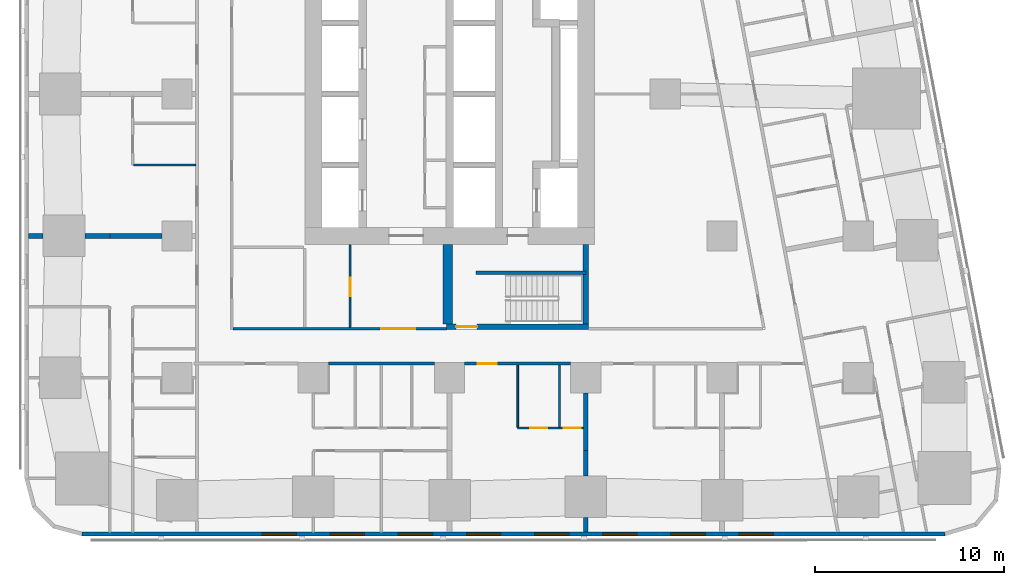
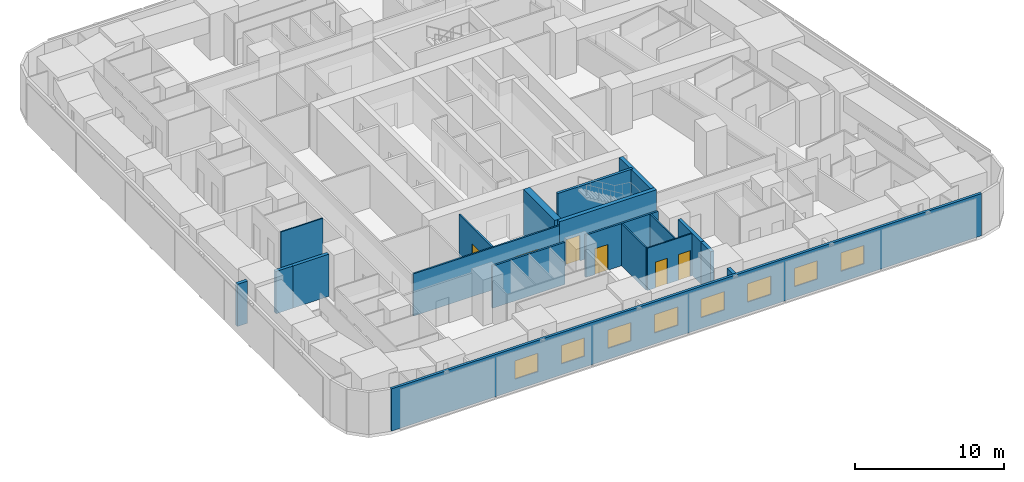
# One storey, part 3 of 14: 19 walls, 8 windows, 6 doors, 14 openings.
"""IFC4 building model written with IfcOpenShell, lengths in metres."""

from ifc_helpers import new_model, si_unit, direction, frame, frame_2d, origin, place, context, subcontext, project, spatial, rectangle, extrude, material, layer, layer_set, type_object, element, fill, save


model = new_model("IFC4")

# Units and contexts
model_context = context("Model", 3, precision=1e-05, world=origin(), true_north=direction((0.0, 1.0)))
body_context = subcontext(model_context, "Body", "Model", "MODEL_VIEW")
ifc_project = project(units=[si_unit("LENGTHUNIT", "METRE"), si_unit("AREAUNIT", "SQUARE_METRE"), si_unit("VOLUMEUNIT", "CUBIC_METRE"), si_unit("PLANEANGLEUNIT", "RADIAN"), si_unit("MASSUNIT", "GRAM", prefix="KILO")], contexts=[model_context])

# Site, building, storey
site_placement = place(None, origin())
site = spatial("IfcSite", under=ifc_project, at=site_placement, CompositionType="ELEMENT")
building_placement = place(site_placement, origin())
building = spatial("IfcBuilding", under=site, at=building_placement, Name="Sheger Commons Tower", CompositionType="ELEMENT")
storey_placement = place(building_placement, frame((0.0, 0.0, 126.64990234375)))
storey = spatial("IfcBuildingStorey", under=building, at=storey_placement, Name="L32", CompositionType="ELEMENT", Elevation=126.64990234375)

# Wall, opening, door
ifc_material_1 = material(Name="Hollow concrete block masonry, skimmed both sides", Category="masonry")
ifc_layer_1 = layer(ifc_material_1, 0.14990234375)
ifc_layer_set_1 = layer_set([ifc_layer_1], Name="CORRIDOR WALL 150")
wall_type_1 = type_object("IfcWallType", Name="CORRIDOR WALL 150", PredefinedType="SOLIDWALL", material=ifc_layer_set_1)
wall_1_placement = place(storey_placement, frame((27.9990234375, 8.25, 0.0), z_axis=(0.0, 0.0, 1.0), x_axis=(-1.0, 0.0, 0.0)))
wall_1 = element("IfcWall", 1, at=wall_1_placement, inside=storey, type_object=wall_type_1, Name="Corridor wall L32", PredefinedType="SOLIDWALL", context=body_context, shape_type="SweptSolid", body=[
    extrude(rectangle(XDim=5.59814453125, YDim=0.14990234375, at=frame_2d((2.799072265625, 0.0))), origin(), (0.0, 0.0, 1.0), 3.4501953125),
])
opening_1_placement = place(wall_1_placement, frame((3.89892578125, 0.0, 0.0)))
opening_1 = element("IfcOpeningElement", 2, at=opening_1_placement, cuts=wall_1, Name="Opening D1", PredefinedType="OPENING", context=body_context, shape_type="SweptSolid", body=[
    extrude(rectangle(XDim=1.0, YDim=2.10009765625, at=frame_2d((0.5, 1.050048828125))), frame((0.0, 0.0849609375, 0.0), z_axis=(0.0, -1.0, 0.0), x_axis=(1.0, 0.0, 0.0)), (0.0, 0.0, 1.0), 0.169921875),
])
ifc_material_2 = material(Name="Steel door set, fire rated", Category="steel")
door_type_1 = type_object("IfcDoorType", Name="FLAT ENTRANCE DOOR 1000x2100", OperationType="NOTDEFINED", PredefinedType="DOOR", material=ifc_material_2)
door_1_placement = place(opening_1_placement, origin())
door_1 = element("IfcDoor", 3, at=door_1_placement, inside=storey, type_object=door_type_1, Name="Flat entrance door", OperationType="SINGLE_SWING_RIGHT", OverallHeight=2.10009765625, OverallWidth=1.0, PredefinedType="DOOR", context=body_context, shape_type="SweptSolid", body=[
    extrude(rectangle(XDim=1.0, YDim=2.10009765625, at=frame_2d((0.5, 1.050048828125))), frame((0.0, 0.02490234375, 0.0), z_axis=(0.0, -1.0, 0.0), x_axis=(1.0, 0.0, 0.0)), (0.0, 0.0, 1.0), 0.050048828125),
])
fill(opening_1, door_1)

# Walls
wall_2_placement = place(storey_placement, frame((20.799072265625, 8.25, 0.0), z_axis=(0.0, 0.0, 1.0), x_axis=(-1.0, 0.0, 0.0)))
element("IfcWall", 4, at=wall_2_placement, inside=storey, type_object=wall_type_1, Name="Corridor wall L32", PredefinedType="SOLIDWALL", context=body_context, shape_type="SweptSolid", body=[
    extrude(rectangle(XDim=5.59814453125, YDim=0.14990234375, at=frame_2d((2.799072265625, 0.0))), origin(), (0.0, 0.0, 1.0), 3.4501953125),
])
ifc_material_3 = material(Name="Dense concrete block masonry, plastered both sides (separating wall between flats)", Category="masonry")
ifc_layer_2 = layer(ifc_material_3, 0.25)
ifc_layer_set_2 = layer_set([ifc_layer_2], Name="DEMISING WALL 250")
wall_type_2 = type_object("IfcWallType", Name="DEMISING WALL 250", PredefinedType="SOLIDWALL", material=ifc_layer_set_2)
wall_3_placement = place(storey_placement, frame((-0.64990234375, 15.0, 0.0), z_axis=(0.0, 0.0, 1.0), x_axis=(1.0, 0.0, 0.0)))
element("IfcWall", 5, at=wall_3_placement, inside=storey, type_object=wall_type_2, Name="Demising wall L32", PredefinedType="SOLIDWALL", context=body_context, shape_type="SweptSolid", body=[
    extrude(rectangle(XDim=0.77392578125, YDim=0.25, at=frame_2d((0.386962890625, 0.0))), origin(), (0.0, 0.0, 1.0), 3.4501953125),
])
wall_4_placement = place(storey_placement, frame((2.325927734375, 15.0, 0.0), z_axis=(0.0, 0.0, 1.0), x_axis=(1.0, 0.0, 0.0)))
element("IfcWall", 6, at=wall_4_placement, inside=storey, type_object=wall_type_2, Name="Demising wall L32", PredefinedType="SOLIDWALL", context=body_context, shape_type="SweptSolid", body=[
    extrude(rectangle(XDim=1.323974609375, YDim=0.25, at=frame_2d((0.662109375, 0.0))), origin(), (0.0, 0.0, 1.0), 3.4501953125),
])
wall_5_placement = place(storey_placement, frame((3.64990234375, 15.0, 0.0), z_axis=(0.0, 0.0, 1.0), x_axis=(1.0, 0.0, 0.0)))
element("IfcWall", 7, at=wall_5_placement, inside=storey, type_object=wall_type_2, Name="Demising wall L32", PredefinedType="SOLIDWALL", context=body_context, shape_type="SweptSolid", body=[
    extrude(rectangle(XDim=2.7490234375, YDim=0.25, at=frame_2d((1.37451171875, 0.0))), origin(), (0.0, 0.0, 1.0), 3.4501953125),
])
wall_6_placement = place(storey_placement, frame((28.800048828125, -0.64990234375, 0.0), z_axis=(0.0, 0.0, 1.0), x_axis=(0.0, 1.0, 0.0)))
element("IfcWall", 8, at=wall_6_placement, inside=storey, type_object=wall_type_2, Name="Demising wall L32", PredefinedType="SOLIDWALL", context=body_context, shape_type="SweptSolid", body=[
    extrude(rectangle(XDim=0.77392578125, YDim=0.25, at=frame_2d((0.386962890625, 0.0))), origin(), (0.0, 0.0, 1.0), 3.4501953125),
])
wall_7_placement = place(storey_placement, frame((28.800048828125, 2.325927734375, 0.0), z_axis=(0.0, 0.0, 1.0), x_axis=(0.0, 1.0, 0.0)))
element("IfcWall", 9, at=wall_7_placement, inside=storey, type_object=wall_type_2, Name="Demising wall L32", PredefinedType="SOLIDWALL", context=body_context, shape_type="SweptSolid", body=[
    extrude(rectangle(XDim=1.323974609375, YDim=0.25, at=frame_2d((0.662109375, 0.0))), origin(), (0.0, 0.0, 1.0), 3.4501953125),
])
wall_8_placement = place(storey_placement, frame((28.800048828125, 3.64990234375, 0.0), z_axis=(0.0, 0.0, 1.0), x_axis=(0.0, 1.0, 0.0)))
element("IfcWall", 10, at=wall_8_placement, inside=storey, type_object=wall_type_2, Name="Demising wall L32", PredefinedType="SOLIDWALL", context=body_context, shape_type="SweptSolid", body=[
    extrude(rectangle(XDim=3.049072265625, YDim=0.25, at=frame_2d((1.5244140625, 0.0))), origin(), (0.0, 0.0, 1.0), 3.4501953125),
])

# Wall, openings, windows
ifc_material_4 = material(Name="Rendered concrete block masonry, dark grey", Category="masonry")
ifc_layer_3 = layer(ifc_material_4, 0.199951171875)
ifc_layer_set_3 = layer_set([ifc_layer_3], Name="FACADE WALL 200")
wall_type_3 = type_object("IfcWallType", Name="FACADE WALL 200", PredefinedType="SOLIDWALL", material=ifc_layer_set_3)
wall_9_placement = place(storey_placement, frame((2.1630859375, -0.75, 0.0), z_axis=(0.0, 0.0, 1.0), x_axis=(1.0, 0.0, 0.0)))
wall_9 = element("IfcWall", 11, at=wall_9_placement, inside=storey, type_object=wall_type_3, Name="Facade wall L32", PredefinedType="SOLIDWALL", context=body_context, shape_type="SweptSolid", body=[
    extrude(rectangle(XDim=45.6279296875, YDim=0.199951171875, at=frame_2d((22.81396484375, 0.0))), origin(), (0.0, 0.0, 1.0), 3.4501953125),
])
opening_2_placement = place(wall_9_placement, frame((9.537109375, 0.0, 0.89990234375)))
opening_2 = element("IfcOpeningElement", 12, at=opening_2_placement, cuts=wall_9, Name="Opening W2", PredefinedType="OPENING", context=body_context, shape_type="SweptSolid", body=[
    extrude(rectangle(XDim=1.800048828125, YDim=1.5, at=frame_2d((0.89990234375, 0.75))), frame((0.0, 0.10986328125, 0.0), z_axis=(0.0, -1.0, 0.0), x_axis=(1.0, 0.0, 0.0)), (0.0, 0.0, 1.0), 0.219970703125),
])
opening_3_placement = place(wall_9_placement, frame((13.136962890625, 0.0, 0.89990234375)))
opening_3 = element("IfcOpeningElement", 13, at=opening_3_placement, cuts=wall_9, Name="Opening W2", PredefinedType="OPENING", context=body_context, shape_type="SweptSolid", body=[
    extrude(rectangle(XDim=1.800048828125, YDim=1.5, at=frame_2d((0.89990234375, 0.75))), frame((0.0, 0.10986328125, 0.0), z_axis=(0.0, -1.0, 0.0), x_axis=(1.0, 0.0, 0.0)), (0.0, 0.0, 1.0), 0.219970703125),
])
opening_4_placement = place(wall_9_placement, frame((16.737060546875, 0.0, 0.89990234375)))
opening_4 = element("IfcOpeningElement", 14, at=opening_4_placement, cuts=wall_9, Name="Opening W2", PredefinedType="OPENING", context=body_context, shape_type="SweptSolid", body=[
    extrude(rectangle(XDim=1.800048828125, YDim=1.5, at=frame_2d((0.89990234375, 0.75))), frame((0.0, 0.10986328125, 0.0), z_axis=(0.0, -1.0, 0.0), x_axis=(1.0, 0.0, 0.0)), (0.0, 0.0, 1.0), 0.219970703125),
])
opening_5_placement = place(wall_9_placement, frame((20.3369140625, 0.0, 0.89990234375)))
opening_5 = element("IfcOpeningElement", 15, at=opening_5_placement, cuts=wall_9, Name="Opening W2", PredefinedType="OPENING", context=body_context, shape_type="SweptSolid", body=[
    extrude(rectangle(XDim=1.800048828125, YDim=1.5, at=frame_2d((0.89990234375, 0.75))), frame((0.0, 0.10986328125, 0.0), z_axis=(0.0, -1.0, 0.0), x_axis=(1.0, 0.0, 0.0)), (0.0, 0.0, 1.0), 0.219970703125),
])
opening_6_placement = place(wall_9_placement, frame((23.93701171875, 0.0, 0.89990234375)))
opening_6 = element("IfcOpeningElement", 16, at=opening_6_placement, cuts=wall_9, Name="Opening W2", PredefinedType="OPENING", context=body_context, shape_type="SweptSolid", body=[
    extrude(rectangle(XDim=1.800048828125, YDim=1.5, at=frame_2d((0.89990234375, 0.75))), frame((0.0, 0.10986328125, 0.0), z_axis=(0.0, -1.0, 0.0), x_axis=(1.0, 0.0, 0.0)), (0.0, 0.0, 1.0), 0.219970703125),
])
opening_7_placement = place(wall_9_placement, frame((27.537109375, 0.0, 0.89990234375)))
opening_7 = element("IfcOpeningElement", 17, at=opening_7_placement, cuts=wall_9, Name="Opening W2", PredefinedType="OPENING", context=body_context, shape_type="SweptSolid", body=[
    extrude(rectangle(XDim=1.800048828125, YDim=1.5, at=frame_2d((0.89990234375, 0.75))), frame((0.0, 0.10986328125, 0.0), z_axis=(0.0, -1.0, 0.0), x_axis=(1.0, 0.0, 0.0)), (0.0, 0.0, 1.0), 0.219970703125),
])
opening_8_placement = place(wall_9_placement, frame((31.136962890625, 0.0, 0.89990234375)))
opening_8 = element("IfcOpeningElement", 18, at=opening_8_placement, cuts=wall_9, Name="Opening W2", PredefinedType="OPENING", context=body_context, shape_type="SweptSolid", body=[
    extrude(rectangle(XDim=1.800048828125, YDim=1.5, at=frame_2d((0.89990234375, 0.75))), frame((0.0, 0.10986328125, 0.0), z_axis=(0.0, -1.0, 0.0), x_axis=(1.0, 0.0, 0.0)), (0.0, 0.0, 1.0), 0.219970703125),
])
opening_9_placement = place(wall_9_placement, frame((34.737060546875, 0.0, 0.89990234375)))
opening_9 = element("IfcOpeningElement", 19, at=opening_9_placement, cuts=wall_9, Name="Opening W2", PredefinedType="OPENING", context=body_context, shape_type="SweptSolid", body=[
    extrude(rectangle(XDim=1.800048828125, YDim=1.5, at=frame_2d((0.89990234375, 0.75))), frame((0.0, 0.10986328125, 0.0), z_axis=(0.0, -1.0, 0.0), x_axis=(1.0, 0.0, 0.0)), (0.0, 0.0, 1.0), 0.219970703125),
])
ifc_material_5 = material(Name="Black aluminium frame, dark tinted double glazing", Category="aluminium")
window_type = type_object("IfcWindowType", Name="WINDOW W2 1800x1500", PartitioningType="SINGLE_PANEL", PredefinedType="WINDOW", material=ifc_material_5)
window_1_placement = place(opening_2_placement, origin())
window_1 = element("IfcWindow", 20, at=window_1_placement, inside=storey, type_object=window_type, Name="Window W2 1800X1500", OverallHeight=1.5, OverallWidth=1.800048828125, PartitioningType="SINGLE_PANEL", PredefinedType="WINDOW", context=body_context, shape_type="SweptSolid", body=[
    extrude(rectangle(XDim=1.800048828125, YDim=1.5, at=frame_2d((0.89990234375, 0.75))), frame((0.0, 0.030029296875, 0.0), z_axis=(0.0, -1.0, 0.0), x_axis=(1.0, 0.0, 0.0)), (0.0, 0.0, 1.0), 0.06005859375),
])
fill(opening_2, window_1)
window_2_placement = place(opening_3_placement, origin())
window_2 = element("IfcWindow", 21, at=window_2_placement, inside=storey, type_object=window_type, Name="Window W2 1800X1500", OverallHeight=1.5, OverallWidth=1.800048828125, PartitioningType="SINGLE_PANEL", PredefinedType="WINDOW", context=body_context, shape_type="SweptSolid", body=[
    extrude(rectangle(XDim=1.800048828125, YDim=1.5, at=frame_2d((0.89990234375, 0.75))), frame((0.0, 0.030029296875, 0.0), z_axis=(0.0, -1.0, 0.0), x_axis=(1.0, 0.0, 0.0)), (0.0, 0.0, 1.0), 0.06005859375),
])
fill(opening_3, window_2)
window_3_placement = place(opening_4_placement, origin())
window_3 = element("IfcWindow", 22, at=window_3_placement, inside=storey, type_object=window_type, Name="Window W2 1800X1500", OverallHeight=1.5, OverallWidth=1.800048828125, PartitioningType="SINGLE_PANEL", PredefinedType="WINDOW", context=body_context, shape_type="SweptSolid", body=[
    extrude(rectangle(XDim=1.800048828125, YDim=1.5, at=frame_2d((0.89990234375, 0.75))), frame((0.0, 0.030029296875, 0.0), z_axis=(0.0, -1.0, 0.0), x_axis=(1.0, 0.0, 0.0)), (0.0, 0.0, 1.0), 0.06005859375),
])
fill(opening_4, window_3)
window_4_placement = place(opening_5_placement, origin())
window_4 = element("IfcWindow", 23, at=window_4_placement, inside=storey, type_object=window_type, Name="Window W2 1800X1500", OverallHeight=1.5, OverallWidth=1.800048828125, PartitioningType="SINGLE_PANEL", PredefinedType="WINDOW", context=body_context, shape_type="SweptSolid", body=[
    extrude(rectangle(XDim=1.800048828125, YDim=1.5, at=frame_2d((0.89990234375, 0.75))), frame((0.0, 0.030029296875, 0.0), z_axis=(0.0, -1.0, 0.0), x_axis=(1.0, 0.0, 0.0)), (0.0, 0.0, 1.0), 0.06005859375),
])
fill(opening_5, window_4)
window_5_placement = place(opening_6_placement, origin())
window_5 = element("IfcWindow", 24, at=window_5_placement, inside=storey, type_object=window_type, Name="Window W2 1800X1500", OverallHeight=1.5, OverallWidth=1.800048828125, PartitioningType="SINGLE_PANEL", PredefinedType="WINDOW", context=body_context, shape_type="SweptSolid", body=[
    extrude(rectangle(XDim=1.800048828125, YDim=1.5, at=frame_2d((0.89990234375, 0.75))), frame((0.0, 0.030029296875, 0.0), z_axis=(0.0, -1.0, 0.0), x_axis=(1.0, 0.0, 0.0)), (0.0, 0.0, 1.0), 0.06005859375),
])
fill(opening_6, window_5)
window_6_placement = place(opening_7_placement, origin())
window_6 = element("IfcWindow", 25, at=window_6_placement, inside=storey, type_object=window_type, Name="Window W2 1800X1500", OverallHeight=1.5, OverallWidth=1.800048828125, PartitioningType="SINGLE_PANEL", PredefinedType="WINDOW", context=body_context, shape_type="SweptSolid", body=[
    extrude(rectangle(XDim=1.800048828125, YDim=1.5, at=frame_2d((0.89990234375, 0.75))), frame((0.0, 0.030029296875, 0.0), z_axis=(0.0, -1.0, 0.0), x_axis=(1.0, 0.0, 0.0)), (0.0, 0.0, 1.0), 0.06005859375),
])
fill(opening_7, window_6)
window_7_placement = place(opening_8_placement, origin())
window_7 = element("IfcWindow", 26, at=window_7_placement, inside=storey, type_object=window_type, Name="Window W2 1800X1500", OverallHeight=1.5, OverallWidth=1.800048828125, PartitioningType="SINGLE_PANEL", PredefinedType="WINDOW", context=body_context, shape_type="SweptSolid", body=[
    extrude(rectangle(XDim=1.800048828125, YDim=1.5, at=frame_2d((0.89990234375, 0.75))), frame((0.0, 0.030029296875, 0.0), z_axis=(0.0, -1.0, 0.0), x_axis=(1.0, 0.0, 0.0)), (0.0, 0.0, 1.0), 0.06005859375),
])
fill(opening_8, window_7)
window_8_placement = place(opening_9_placement, origin())
window_8 = element("IfcWindow", 27, at=window_8_placement, inside=storey, type_object=window_type, Name="Window W2 1800X1500", OverallHeight=1.5, OverallWidth=1.800048828125, PartitioningType="SINGLE_PANEL", PredefinedType="WINDOW", context=body_context, shape_type="SweptSolid", body=[
    extrude(rectangle(XDim=1.800048828125, YDim=1.5, at=frame_2d((0.89990234375, 0.75))), frame((0.0, 0.030029296875, 0.0), z_axis=(0.0, -1.0, 0.0), x_axis=(1.0, 0.0, 0.0)), (0.0, 0.0, 1.0), 0.06005859375),
])
fill(opening_9, window_8)

# Wall
ifc_material_6 = material(Name="Gypsum board on steel studs", Category="steel")
ifc_layer_4 = layer(ifc_material_6, 0.10009765625)
ifc_layer_set_4 = layer_set([ifc_layer_4], Name="PARTITION 100")
wall_type_4 = type_object("IfcWallType", Name="PARTITION 100", PredefinedType="PARTITIONING", material=ifc_layer_set_4)
wall_10_placement = place(storey_placement, frame((4.89990234375, 18.75, 0.0), z_axis=(0.0, 0.0, 1.0), x_axis=(1.0, 0.0, 0.0)))
element("IfcWall", 28, at=wall_10_placement, inside=storey, type_object=wall_type_4, Name="Partition L32", PredefinedType="PARTITIONING", context=body_context, shape_type="SweptSolid", body=[
    extrude(rectangle(XDim=3.275146484375, YDim=0.10009765625, at=frame_2d((1.6376953125, 0.0))), origin(), (0.0, 0.0, 1.0), 3.4501953125),
])

# Wall, openings, doors
wall_11_placement = place(storey_placement, frame((28.675048828125, 4.85009765625, 0.0), z_axis=(0.0, 0.0, 1.0), x_axis=(-1.0, 0.0, 0.0)))
wall_11 = element("IfcWall", 29, at=wall_11_placement, inside=storey, type_object=wall_type_4, Name="Partition L32", PredefinedType="PARTITIONING", context=body_context, shape_type="SweptSolid", body=[
    extrude(rectangle(XDim=3.47509765625, YDim=0.10009765625, at=frame_2d((1.737548828125, 0.0))), origin(), (0.0, 0.0, 1.0), 3.4501953125),
])
opening_10_placement = place(wall_11_placement, frame((1.919921875, 0.0, 0.0)))
opening_10 = element("IfcOpeningElement", 30, at=opening_10_placement, cuts=wall_11, Name="Opening D2", PredefinedType="OPENING", context=body_context, shape_type="SweptSolid", body=[
    extrude(rectangle(XDim=0.89990234375, YDim=2.10009765625, at=frame_2d((0.449951171875, 1.050048828125))), frame((0.0, 0.06005859375, 0.0), z_axis=(0.0, -1.0, 0.0), x_axis=(1.0, 0.0, 0.0)), (0.0, 0.0, 1.0), 0.1201171875),
])
opening_11_placement = place(wall_11_placement, frame((0.14990234375, 0.0, 0.0)))
opening_11 = element("IfcOpeningElement", 31, at=opening_11_placement, cuts=wall_11, Name="Opening D2", PredefinedType="OPENING", context=body_context, shape_type="SweptSolid", body=[
    extrude(rectangle(XDim=0.89990234375, YDim=2.10009765625, at=frame_2d((0.449951171875, 1.050048828125))), frame((0.0, 0.06005859375, 0.0), z_axis=(0.0, -1.0, 0.0), x_axis=(1.0, 0.0, 0.0)), (0.0, 0.0, 1.0), 0.1201171875),
])
ifc_material_7 = material(Name="Timber door set", Category="wood")
door_type_2 = type_object("IfcDoorType", Name="INTERNAL DOOR 900x2100", OperationType="NOTDEFINED", PredefinedType="DOOR", material=ifc_material_7)
door_2_placement = place(opening_10_placement, origin())
door_2 = element("IfcDoor", 32, at=door_2_placement, inside=storey, type_object=door_type_2, Name="Bathroom door", OperationType="SINGLE_SWING_LEFT", OverallHeight=2.10009765625, OverallWidth=0.89990234375, PredefinedType="DOOR", context=body_context, shape_type="SweptSolid", body=[
    extrude(rectangle(XDim=0.89990234375, YDim=2.10009765625, at=frame_2d((0.449951171875, 1.050048828125))), frame((0.0, 0.02490234375, 0.0), z_axis=(0.0, -1.0, 0.0), x_axis=(1.0, 0.0, 0.0)), (0.0, 0.0, 1.0), 0.050048828125),
])
fill(opening_10, door_2)
door_3_placement = place(opening_11_placement, origin())
door_3 = element("IfcDoor", 33, at=door_3_placement, inside=storey, type_object=door_type_2, Name="Store door", OperationType="SINGLE_SWING_RIGHT", OverallHeight=2.10009765625, OverallWidth=0.89990234375, PredefinedType="DOOR", context=body_context, shape_type="SweptSolid", body=[
    extrude(rectangle(XDim=0.89990234375, YDim=2.10009765625, at=frame_2d((0.449951171875, 1.050048828125))), frame((0.0, 0.02490234375, 0.0), z_axis=(0.0, -1.0, 0.0), x_axis=(1.0, 0.0, 0.0)), (0.0, 0.0, 1.0), 0.050048828125),
])
fill(opening_11, door_3)

# Walls
for number, where, z_axis, x_axis, name in (
    (34, (25.199951171875, 4.89990234375, 0.0), (0.0, 0.0, 1.0), (0.0, 1.0, 0.0), "Partition L32"),
    (35, (27.409912109375, 4.89990234375, 0.0), (0.0, 0.0, 1.0), (0.0, 1.0, 0.0), "Partition L32"),
):
    element("IfcWall", number, at=place(storey_placement, frame(where, z_axis=z_axis, x_axis=x_axis)), inside=storey, type_object=wall_type_4, Name=name, PredefinedType="PARTITIONING", context=body_context, shape_type="SweptSolid", body=[
        extrude(rectangle(XDim=3.275146484375, YDim=0.10009765625, at=frame_2d((1.6376953125, 0.0))), origin(), (0.0, 0.0, 1.0), 3.4501953125),
    ])

# Wall, opening, door
ifc_material_8 = material(Name="Gypsum board on steel studs, two layers each side, fire rated", Category="steel")
ifc_layer_5 = layer(ifc_material_8, 0.125)
ifc_layer_set_5 = layer_set([ifc_layer_5], Name="SERVICE WALL 125")
wall_type_5 = type_object("IfcWallType", Name="SERVICE WALL 125", PredefinedType="PARTITIONING", material=ifc_layer_set_5)
wall_12_placement = place(storey_placement, frame((10.1630859375, 10.10009765625, 0.0), z_axis=(0.0, 0.0, 1.0), x_axis=(1.0, 0.0, 0.0)))
wall_12 = element("IfcWall", 36, at=wall_12_placement, inside=storey, type_object=wall_type_5, Name="Service room wall L32", PredefinedType="PARTITIONING", context=body_context, shape_type="SweptSolid", body=[
    extrude(rectangle(XDim=11.286865234375, YDim=0.125, at=frame_2d((5.6435546875, 0.0))), origin(), (0.0, 0.0, 1.0), 3.4501953125),
])
opening_12_placement = place(wall_12_placement, frame((7.83203125, 0.0, 0.0)))
opening_12 = element("IfcOpeningElement", 37, at=opening_12_placement, cuts=wall_12, Name="Opening D6", PredefinedType="OPENING", context=body_context, shape_type="SweptSolid", body=[
    extrude(rectangle(XDim=1.800048828125, YDim=2.10009765625, at=frame_2d((0.89990234375, 1.050048828125))), frame((0.0, 0.072509765625, 0.0), z_axis=(0.0, -1.0, 0.0), x_axis=(1.0, 0.0, 0.0)), (0.0, 0.0, 1.0), 0.14501953125),
])
ifc_material_9 = material(Name="Steel door set, fire rated", Category="steel")
door_type_3 = type_object("IfcDoorType", Name="LOBBY DOUBLE DOOR 1800x2100", OperationType="DOUBLE_DOOR_SINGLE_SWING", PredefinedType="DOOR", material=ifc_material_9)
door_4_placement = place(opening_12_placement, origin())
door_4 = element("IfcDoor", 38, at=door_4_placement, inside=storey, type_object=door_type_3, Name="Lift lobby south door", OperationType="DOUBLE_DOOR_SINGLE_SWING", OverallHeight=2.10009765625, OverallWidth=1.800048828125, PredefinedType="DOOR", context=body_context, shape_type="SweptSolid", body=[
    extrude(rectangle(XDim=1.800048828125, YDim=2.10009765625, at=frame_2d((0.89990234375, 1.050048828125))), frame((0.0, 0.02490234375, 0.0), z_axis=(0.0, -1.0, 0.0), x_axis=(1.0, 0.0, 0.0)), (0.0, 0.0, 1.0), 0.050048828125),
])
fill(opening_12, door_4)

wall_13_placement = place(storey_placement, frame((16.340087890625, 10.1630859375, 0.0), z_axis=(0.0, 0.0, 1.0), x_axis=(0.0, 1.0, 0.0)))
wall_13 = element("IfcWall", 39, at=wall_13_placement, inside=storey, type_object=wall_type_5, Name="Service room wall L32", PredefinedType="PARTITIONING", context=body_context, shape_type="SweptSolid", body=[
    extrude(rectangle(XDim=4.386962890625, YDim=0.125, at=frame_2d((2.193359375, 0.0))), origin(), (0.0, 0.0, 1.0), 3.4501953125),
])
opening_13_placement = place(wall_13_placement, frame((1.636962890625, 0.0, 0.0)))
opening_13 = element("IfcOpeningElement", 40, at=opening_13_placement, cuts=wall_13, Name="Opening D4", PredefinedType="OPENING", context=body_context, shape_type="SweptSolid", body=[
    extrude(rectangle(XDim=1.0, YDim=2.10009765625, at=frame_2d((0.5, 1.050048828125))), frame((0.0, 0.072509765625, 0.0), z_axis=(0.0, -1.0, 0.0), x_axis=(1.0, 0.0, 0.0)), (0.0, 0.0, 1.0), 0.14501953125),
])
ifc_material_10 = material(Name="Steel door set, fire rated", Category="steel")
door_type_4 = type_object("IfcDoorType", Name="SERVICE DOOR 1000x2100", OperationType="NOTDEFINED", PredefinedType="DOOR", material=ifc_material_10)
door_5_placement = place(opening_13_placement, origin())
door_5 = element("IfcDoor", 41, at=door_5_placement, inside=storey, type_object=door_type_4, Name="Electrical room door", OperationType="SINGLE_SWING_LEFT", OverallHeight=2.10009765625, OverallWidth=1.0, PredefinedType="DOOR", context=body_context, shape_type="SweptSolid", body=[
    extrude(rectangle(XDim=1.0, YDim=2.10009765625, at=frame_2d((0.5, 1.050048828125))), frame((0.0, 0.02490234375, 0.0), z_axis=(0.0, -1.0, 0.0), x_axis=(1.0, 0.0, 0.0)), (0.0, 0.0, 1.0), 0.050048828125),
])
fill(opening_13, door_5)

ifc_material_11 = material(Name="Concrete C50/60", Category="concrete")
ifc_layer_6 = layer(ifc_material_11, 0.300048828125)
ifc_layer_set_6 = layer_set([ifc_layer_6], Name="STAIR CORE WALL 300")
wall_type_6 = type_object("IfcWallType", Name="STAIR CORE WALL 300", PredefinedType="SHEAR", material=ifc_layer_set_6)
wall_14_placement = place(storey_placement, frame((21.449951171875, 10.199951171875, 0.0), z_axis=(0.0, 0.0, 1.0), x_axis=(1.0, 0.0, 0.0)))
wall_14 = element("IfcWall", 42, at=wall_14_placement, inside=storey, type_object=wall_type_6, Name="STW-L32-S1S", PredefinedType="SHEAR", context=body_context, shape_type="SweptSolid", body=[
    extrude(rectangle(XDim=7.5, YDim=0.300048828125, at=frame_2d((3.75, 0.0))), origin(), (0.0, 0.0, 1.0), 3.75),
])
opening_14_placement = place(wall_14_placement, frame((0.5, 0.0, 0.0)))
opening_14 = element("IfcOpeningElement", 43, at=opening_14_placement, cuts=wall_14, Name="Opening D5", PredefinedType="OPENING", context=body_context, shape_type="SweptSolid", body=[
    extrude(rectangle(XDim=1.10009765625, YDim=2.10009765625, at=frame_2d((0.550048828125, 1.050048828125))), frame((0.0, 0.159912109375, 0.0), z_axis=(0.0, -1.0, 0.0), x_axis=(1.0, 0.0, 0.0)), (0.0, 0.0, 1.0), 0.320068359375),
])
ifc_material_12 = material(Name="Steel door set, fire rated", Category="steel")
door_type_5 = type_object("IfcDoorType", Name="STAIR DOOR 1100x2100", OperationType="NOTDEFINED", PredefinedType="DOOR", material=ifc_material_12)
door_6_placement = place(opening_14_placement, origin())
door_6 = element("IfcDoor", 44, at=door_6_placement, inside=storey, type_object=door_type_5, Name="Stair S1 door", OperationType="SINGLE_SWING_LEFT", OverallHeight=2.10009765625, OverallWidth=1.10009765625, PredefinedType="DOOR", context=body_context, shape_type="SweptSolid", body=[
    extrude(rectangle(XDim=1.10009765625, YDim=2.10009765625, at=frame_2d((0.550048828125, 1.050048828125))), frame((0.0, 0.02490234375, 0.0), z_axis=(0.0, -1.0, 0.0), x_axis=(1.0, 0.0, 0.0)), (0.0, 0.0, 1.0), 0.050048828125),
])
fill(opening_14, door_6)

# Walls
wall_15_placement = place(storey_placement, frame((28.800048828125, 10.35009765625, 0.0), z_axis=(0.0, 0.0, 1.0), x_axis=(0.0, 1.0, 0.0)))
element("IfcWall", 45, at=wall_15_placement, inside=storey, type_object=wall_type_6, Name="STW-L32-S1E", PredefinedType="SHEAR", context=body_context, shape_type="SweptSolid", body=[
    extrude(rectangle(XDim=4.199951171875, YDim=0.300048828125, at=frame_2d((2.10009765625, 0.0))), origin(), (0.0, 0.0, 1.0), 3.75),
])
ifc_material_13 = material(Name="Concrete C50/60", Category="concrete")
ifc_layer_7 = layer(ifc_material_13, 0.5)
ifc_layer_set_7 = layer_set([ifc_layer_7], Name="STAIR CORE WALL 500")
wall_type_7 = type_object("IfcWallType", Name="STAIR CORE WALL 500", PredefinedType="SHEAR", material=ifc_layer_set_7)
wall_16_placement = place(storey_placement, frame((21.5, 10.35009765625, 0.0), z_axis=(0.0, 0.0, 1.0), x_axis=(0.0, 1.0, 0.0)))
element("IfcWall", 46, at=wall_16_placement, inside=storey, type_object=wall_type_7, Name="STW-L32-S1W", PredefinedType="SHEAR", context=body_context, shape_type="SweptSolid", body=[
    extrude(rectangle(XDim=4.199951171875, YDim=0.5, at=frame_2d((2.10009765625, 0.0))), origin(), (0.0, 0.0, 1.0), 3.75),
])
ifc_material_14 = material(Name="Concrete C50/60", Category="concrete")
ifc_layer_8 = layer(ifc_material_14, 0.199951171875)
ifc_layer_set_8 = layer_set([ifc_layer_8], Name="STAIR SPINE WALL 200")
wall_type_8 = type_object("IfcWallType", Name="STAIR SPINE WALL 200", PredefinedType="SHEAR", material=ifc_layer_set_8)
wall_17_placement = place(storey_placement, frame((23.0, 13.050048828125, 0.0), z_axis=(0.0, 0.0, 1.0), x_axis=(1.0, 0.0, 0.0)))
element("IfcWall", 47, at=wall_17_placement, inside=storey, type_object=wall_type_8, Name="Stair spine wall L32", PredefinedType="SHEAR", context=body_context, shape_type="SweptSolid", body=[
    extrude(rectangle(XDim=5.800048828125, YDim=0.199951171875, at=frame_2d((2.89990234375, 0.0))), origin(), (0.0, 0.0, 1.0), 3.75),
])

save(model, "model.ifc")
